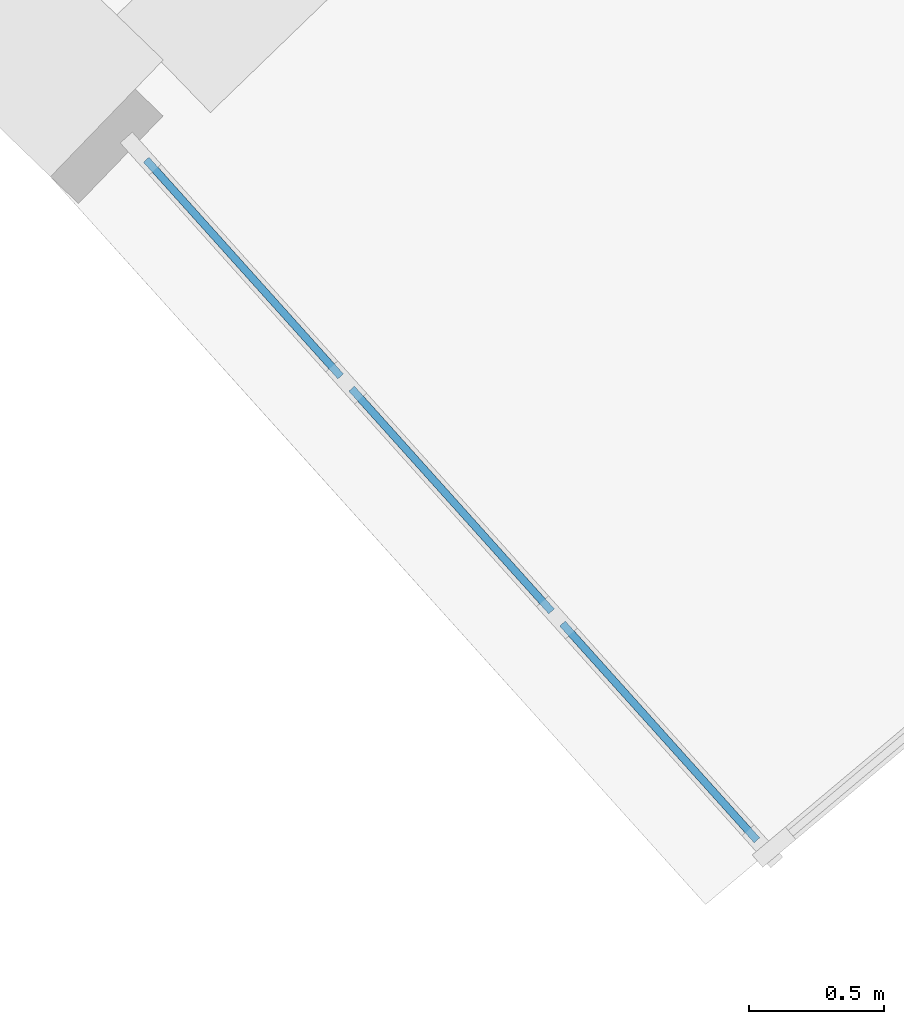
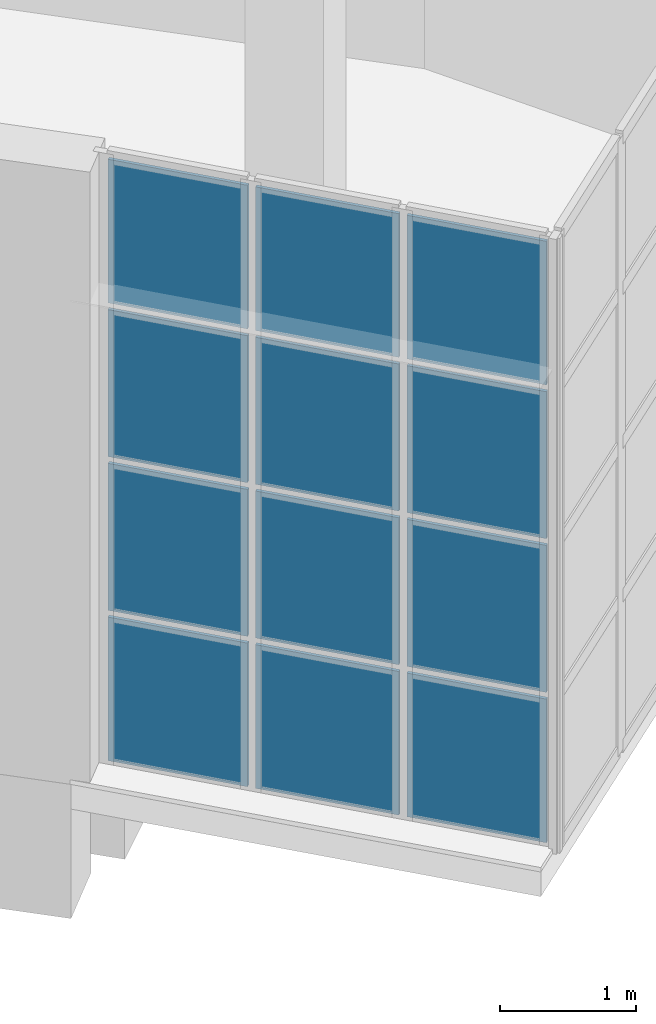
# One storey, part 25 of 87: 12 plates, 1 element without a shape of its own.
"""IFC4 building model written with IfcOpenShell, lengths in metres."""

from ifc_helpers import new_model, si_unit, direction, frame, origin, origin_2d, place, context, subcontext, project, spatial, rectangle, extrude, material, layer, layer_set, type_object, element, aggregate, save


model = new_model("IFC4")

# Units and contexts
model_context = context("Model", 3, precision=1e-05, world=origin(), true_north=direction((0.0, 1.0)))
body_context = subcontext(model_context, "Body", "Model", "MODEL_VIEW")
ifc_project = project(units=[si_unit("LENGTHUNIT", "METRE"), si_unit("AREAUNIT", "SQUARE_METRE"), si_unit("VOLUMEUNIT", "CUBIC_METRE"), si_unit("PLANEANGLEUNIT", "RADIAN"), si_unit("MASSUNIT", "GRAM", prefix="KILO")], contexts=[model_context])

# Site, building, storey
site_placement = place(None, origin())
site = spatial("IfcSite", under=ifc_project, at=site_placement, CompositionType="ELEMENT")
building_placement = place(site_placement, origin())
building = spatial("IfcBuilding", under=site, at=building_placement, Name="Lunette Opera House", CompositionType="ELEMENT")
storey_placement = place(building_placement, frame((0.0, 0.0, 11.5)))
storey = spatial("IfcBuildingStorey", under=building, at=storey_placement, Name="L02", CompositionType="ELEMENT", Elevation=11.5)

# Curtain wall, plates
ifc_material_1 = material(Name="Aluminium", Category="aluminium")
ifc_layer_1 = layer(ifc_material_1, 0.159912109375)
ifc_layer_set_1 = layer_set([ifc_layer_1], Name="Aluminium")
curtain_wall_type = type_object("IfcCurtainWallType", Name="CORNER CURTAIN WALL", PredefinedType="NOTDEFINED", material=ifc_layer_set_1)
curtain_wall_placement = place(storey_placement, origin())
curtain_wall = element("IfcCurtainWall", 1, at=curtain_wall_placement, inside=storey, type_object=curtain_wall_type, Name="Corner Curtain Wall GC-E1 L02", PredefinedType="NOTDEFINED")
ifc_material_2 = material(Name="Laminated glass", Category="glass")
ifc_layer_2 = layer(ifc_material_2, 0.028076171875)
ifc_layer_set_2 = layer_set([ifc_layer_2], Name="Laminated glass")
plate_type = type_object("IfcPlateType", Name="CURTAIN PANEL LAMINATED GLASS 28", PredefinedType="CURTAIN_PANEL", material=ifc_layer_set_2)
plate_1_placement = place(storey_placement, frame((134.125732421875, 35.777587890625, 0.06005859375), z_axis=(0.0, 0.0, 1.0), x_axis=(0.667938143615, -0.744216793887, 0.0)))
plate_1 = element("IfcPlate", 2, at=plate_1_placement, type_object=plate_type, Name="FC-X2175 panel 1.1", PredefinedType="CURTAIN_PANEL", context=body_context, shape_type="SweptSolid", body=[
    extrude(rectangle(XDim=1.07666015625, YDim=0.028076171875, at=origin_2d()), origin(), (0.0, 0.0, 1.0), 1.284912109375),
])
plate_2_placement = place(storey_placement, frame((134.125732421875, 35.777587890625, 1.405029296875), z_axis=(0.0, 0.0, 1.0), x_axis=(0.667938143615, -0.744216793887, 0.0)))
plate_2 = element("IfcPlate", 3, at=plate_2_placement, type_object=plate_type, Name="FC-X2175 panel 1.2", PredefinedType="CURTAIN_PANEL", context=body_context, shape_type="SweptSolid", body=[
    extrude(rectangle(XDim=1.07666015625, YDim=0.028076171875, at=origin_2d()), origin(), (0.0, 0.0, 1.0), 1.31494140625),
])
plate_3_placement = place(storey_placement, frame((134.125732421875, 35.777587890625, 2.780029296875), z_axis=(0.0, 0.0, 1.0), x_axis=(0.667938143615, -0.744216793887, 0.0)))
plate_3 = element("IfcPlate", 4, at=plate_3_placement, type_object=plate_type, Name="FC-X2175 panel 1.3", PredefinedType="CURTAIN_PANEL", context=body_context, shape_type="SweptSolid", body=[
    extrude(rectangle(XDim=1.07666015625, YDim=0.028076171875, at=origin_2d()), origin(), (0.0, 0.0, 1.0), 1.31494140625),
])
plate_4_placement = place(storey_placement, frame((134.125732421875, 35.777587890625, 4.1552734375), z_axis=(0.0, 0.0, 1.0), x_axis=(0.667938143615, -0.744216793887, 0.0)))
plate_4 = element("IfcPlate", 5, at=plate_4_placement, type_object=plate_type, Name="FC-X2175 panel 1.4", PredefinedType="CURTAIN_PANEL", context=body_context, shape_type="SweptSolid", body=[
    extrude(rectangle(XDim=1.07666015625, YDim=0.028076171875, at=origin_2d()), origin(), (0.0, 0.0, 1.0), 1.284912109375),
])
plate_5_placement = place(storey_placement, frame((134.89501953125, 34.92041015625, 0.06005859375), z_axis=(0.0, 0.0, 1.0), x_axis=(0.667938143615, -0.744216793887, 0.0)))
plate_5 = element("IfcPlate", 6, at=plate_5_placement, type_object=plate_type, Name="FC-X2175 panel 2.1", PredefinedType="CURTAIN_PANEL", context=body_context, shape_type="SweptSolid", body=[
    extrude(rectangle(XDim=1.106689453125, YDim=0.028076171875, at=origin_2d()), origin(), (0.0, 0.0, 1.0), 1.284912109375),
])
plate_6_placement = place(storey_placement, frame((134.89501953125, 34.92041015625, 1.405029296875), z_axis=(0.0, 0.0, 1.0), x_axis=(0.667938143615, -0.744216793887, 0.0)))
plate_6 = element("IfcPlate", 7, at=plate_6_placement, type_object=plate_type, Name="FC-X2175 panel 2.2", PredefinedType="CURTAIN_PANEL", context=body_context, shape_type="SweptSolid", body=[
    extrude(rectangle(XDim=1.106689453125, YDim=0.028076171875, at=origin_2d()), origin(), (0.0, 0.0, 1.0), 1.31494140625),
])
plate_7_placement = place(storey_placement, frame((134.89501953125, 34.92041015625, 2.780029296875), z_axis=(0.0, 0.0, 1.0), x_axis=(0.667938143615, -0.744216793887, 0.0)))
plate_7 = element("IfcPlate", 8, at=plate_7_placement, type_object=plate_type, Name="FC-X2175 panel 2.3", PredefinedType="CURTAIN_PANEL", context=body_context, shape_type="SweptSolid", body=[
    extrude(rectangle(XDim=1.106689453125, YDim=0.028076171875, at=origin_2d()), origin(), (0.0, 0.0, 1.0), 1.31494140625),
])
plate_8_placement = place(storey_placement, frame((134.89501953125, 34.92041015625, 4.1552734375), z_axis=(0.0, 0.0, 1.0), x_axis=(0.667938143615, -0.744216793887, 0.0)))
plate_8 = element("IfcPlate", 9, at=plate_8_placement, type_object=plate_type, Name="FC-X2175 panel 2.4", PredefinedType="CURTAIN_PANEL", context=body_context, shape_type="SweptSolid", body=[
    extrude(rectangle(XDim=1.106689453125, YDim=0.028076171875, at=origin_2d()), origin(), (0.0, 0.0, 1.0), 1.284912109375),
])
plate_9_placement = place(storey_placement, frame((135.664306640625, 34.063232421875, 0.06005859375), z_axis=(0.0, 0.0, 1.0), x_axis=(0.667938143615, -0.744216793887, 0.0)))
plate_9 = element("IfcPlate", 10, at=plate_9_placement, type_object=plate_type, Name="FC-X2175 panel 3.1", PredefinedType="CURTAIN_PANEL", context=body_context, shape_type="SweptSolid", body=[
    extrude(rectangle(XDim=1.07666015625, YDim=0.028076171875, at=origin_2d()), origin(), (0.0, 0.0, 1.0), 1.284912109375),
])
plate_10_placement = place(storey_placement, frame((135.664306640625, 34.063232421875, 1.405029296875), z_axis=(0.0, 0.0, 1.0), x_axis=(0.667938143615, -0.744216793887, 0.0)))
plate_10 = element("IfcPlate", 11, at=plate_10_placement, type_object=plate_type, Name="FC-X2175 panel 3.2", PredefinedType="CURTAIN_PANEL", context=body_context, shape_type="SweptSolid", body=[
    extrude(rectangle(XDim=1.07666015625, YDim=0.028076171875, at=origin_2d()), origin(), (0.0, 0.0, 1.0), 1.31494140625),
])
plate_11_placement = place(storey_placement, frame((135.664306640625, 34.063232421875, 2.780029296875), z_axis=(0.0, 0.0, 1.0), x_axis=(0.667938143615, -0.744216793887, 0.0)))
plate_11 = element("IfcPlate", 12, at=plate_11_placement, type_object=plate_type, Name="FC-X2175 panel 3.3", PredefinedType="CURTAIN_PANEL", context=body_context, shape_type="SweptSolid", body=[
    extrude(rectangle(XDim=1.07666015625, YDim=0.028076171875, at=origin_2d()), origin(), (0.0, 0.0, 1.0), 1.31494140625),
])
plate_12_placement = place(storey_placement, frame((135.664306640625, 34.063232421875, 4.1552734375), z_axis=(0.0, 0.0, 1.0), x_axis=(0.667938143615, -0.744216793887, 0.0)))
plate_12 = element("IfcPlate", 13, at=plate_12_placement, type_object=plate_type, Name="FC-X2175 panel 3.4", PredefinedType="CURTAIN_PANEL", context=body_context, shape_type="SweptSolid", body=[
    extrude(rectangle(XDim=1.07666015625, YDim=0.028076171875, at=origin_2d()), origin(), (0.0, 0.0, 1.0), 1.284912109375),
])
aggregate(curtain_wall, [plate_1, plate_2, plate_3, plate_4, plate_5, plate_6, plate_7, plate_8, plate_9, plate_10, plate_11, plate_12])

save(model, "model.ifc")
